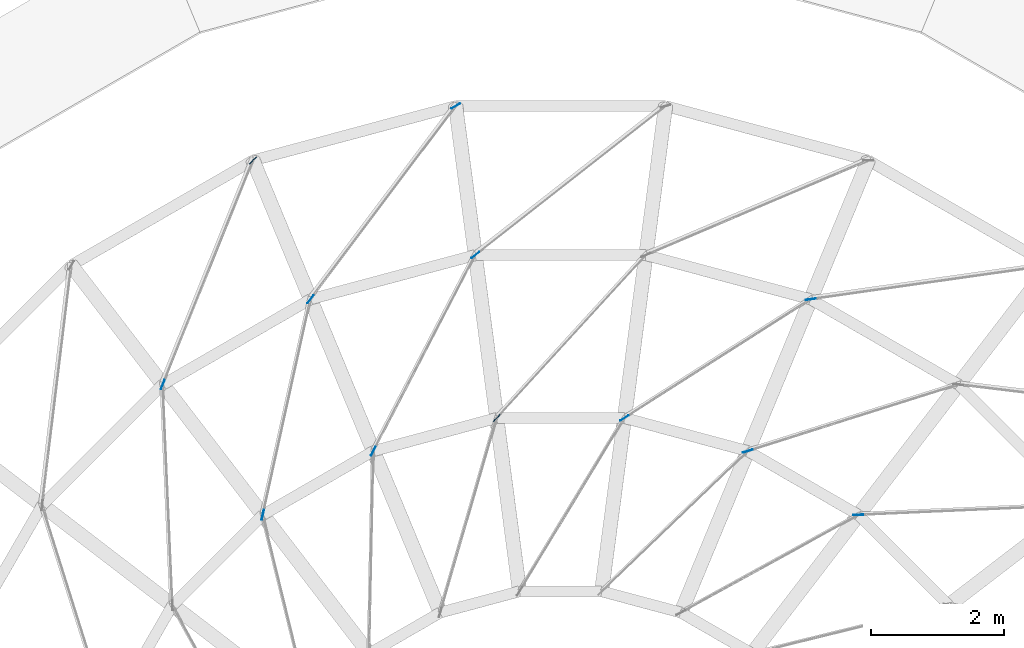
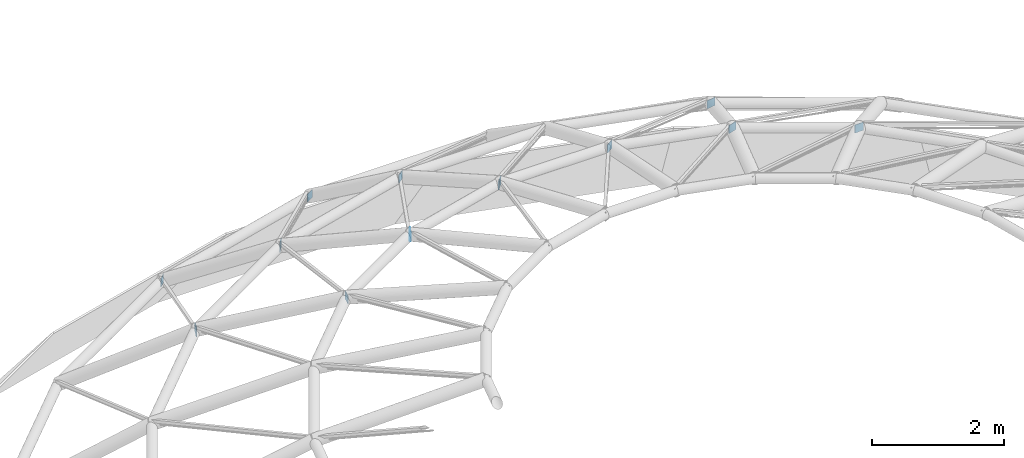
# One storey, part 25 of 33: 12 discrete accessories.
"""IFC4 building model written with IfcOpenShell, lengths in metres."""

from ifc_helpers import new_model, si_unit, direction, frame, origin, origin_2d, place, context, subcontext, project, spatial, rectangle, extrude, material, type_object, element, save


model = new_model("IFC4")

# Units and contexts
model_context = context("Model", 3, precision=1e-05, world=origin(), true_north=direction((0.0, 1.0)))
body_context = subcontext(model_context, "Body", "Model", "MODEL_VIEW")
ifc_project = project(units=[si_unit("LENGTHUNIT", "METRE"), si_unit("AREAUNIT", "SQUARE_METRE"), si_unit("VOLUMEUNIT", "CUBIC_METRE"), si_unit("PLANEANGLEUNIT", "RADIAN"), si_unit("MASSUNIT", "GRAM", prefix="KILO")], contexts=[model_context])

# Site, building, storey
site_placement = place(None, origin())
site = spatial("IfcSite", under=ifc_project, at=site_placement, CompositionType="ELEMENT")
building_placement = place(site_placement, origin())
building = spatial("IfcBuilding", under=site, at=building_placement, Name="Hortulan Conservatory and Botanical Research Centre", CompositionType="ELEMENT")
storey_placement = place(building_placement, frame((0.0, 0.0, 19.199951171875)))
storey = spatial("IfcBuildingStorey", under=building, at=storey_placement, Name="L04", CompositionType="ELEMENT", Elevation=19.199951171875)

# Discrete accessories
ifc_material = material(Name="Steel Grade 300 plate (AS/NZS 3678, 280 MPa minimum yield)", Category="steel")
discrete_accessory_type = type_object("IfcDiscreteAccessoryType", Name="End Plate 150x10", PredefinedType="BRACKET", material=ifc_material)
for number, where, z_axis, x_axis, name in (
    (1, (48.010986328125, 25.804931640625, 1.972900390625), (0.0, 0.0, 1.0), (0.373473545352, 0.927640830776, 0.0), "Dome rod end plate"),
    (2, (49.369384765625, 29.178955078125, 0.361572265625), (0.0, 0.0, 1.0), (0.705438738822, 0.708770897942, 0.0), "Dome rod end plate"),
    (3, (49.516845703125, 23.842529296875, 3.236083984375), (0.0, 0.0, 1.0), (0.216064727236, 0.976379041994, 0.0), "Dome rod end plate"),
    (4, (50.235107421875, 27.0888671875, 1.972900390625), (0.0, 0.0, 1.0), (0.600824905178, 0.799380656082, 0.0), "Dome rod end plate"),
    (5, (51.181884765625, 24.8037109375, 3.236083984375), (0.0, 0.0, 1.0), (0.461407991495, 0.887188066525, 0.0), "Dome rod end plate"),
    (6, (52.420654296875, 29.99658203125, 0.361572265625), (0.0, 0.0, 1.0), (0.864836141327, 0.502054228799, 0.0), "Dome rod end plate"),
    (7, (52.7158203125, 27.753662109375, 1.972900390625), (0.0, 0.0, 1.0), (0.787247231069, 0.616637492514, 0.0), "Dome rod end plate"),
    (8, (53.038818359375, 25.301513671875, 3.236083984375), (0.0, 0.0, 1.0), (0.675307063645, 0.737536690471, 0.0), "Dome rod end plate"),
    (9, (54.961181640625, 25.301513671875, 3.236083984375), (0.0, 0.0, 1.0), (0.84320384149, 0.537593974759, 0.0), "Dome rod end plate"),
    (10, (56.818115234375, 24.8037109375, 3.236083984375), (0.0, 0.0, 1.0), (0.953596162865, 0.301088621787, 0.0), "Dome rod end plate"),
    (11, (57.764892578125, 27.0888671875, 1.972900390625), (0.0, 0.0, 1.0), (0.990092396827, 0.140417398302, 0.0), "Dome rod end plate"),
    (12, (58.483154296875, 23.842529296875, 3.236083984375), (0.0, 0.0, 1.0), (0.999031399293, 0.044002991119, 0.0), "Dome rod end plate"),
):
    element("IfcDiscreteAccessory", number, at=place(storey_placement, frame(where, z_axis=z_axis, x_axis=x_axis)), inside=storey, type_object=discrete_accessory_type, Name=name, PredefinedType="BRACKET", context=body_context, shape_type="SweptSolid", body=[
        extrude(rectangle(XDim=0.14990234375, YDim=0.010009765625, at=origin_2d()), origin(), (0.0, 0.0, 1.0), 0.14990234375),
    ])

save(model, "model.ifc")
